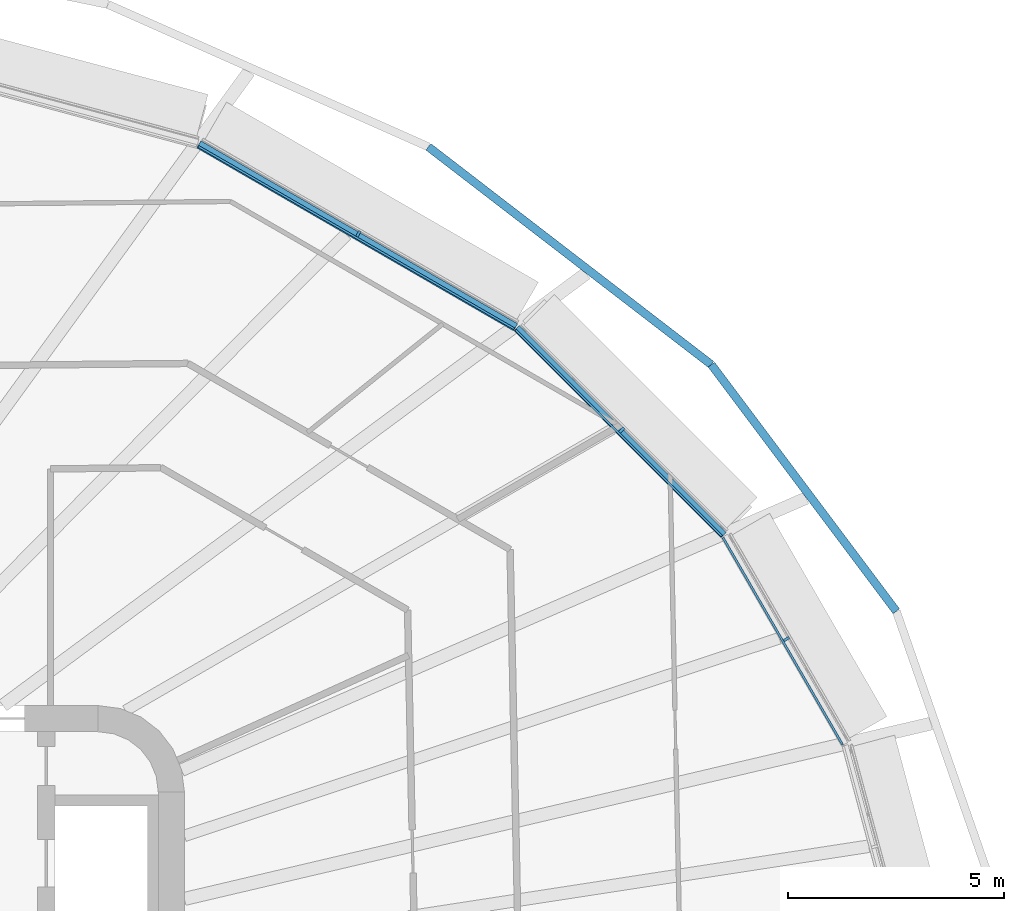
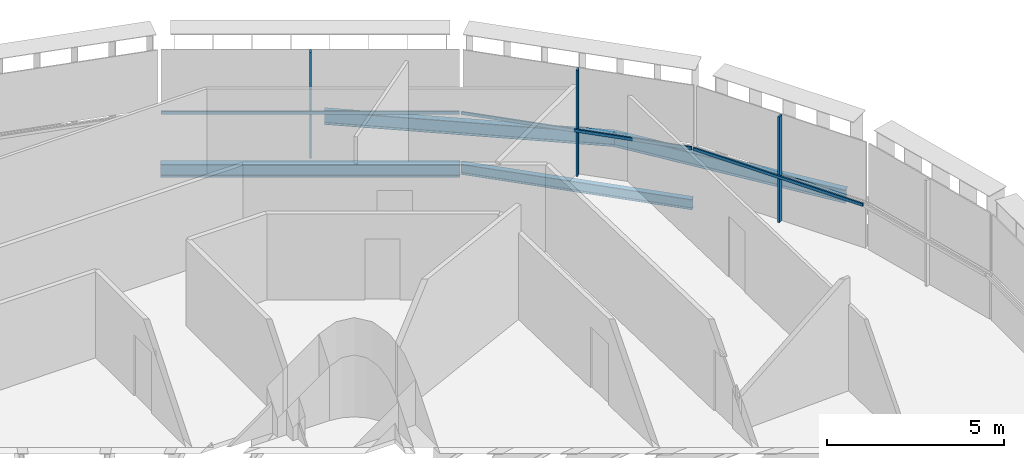
# One storey, part 10 of 26: 6 members, 4 beams, 3 elements without a shape of their own.
"""IFC4 building model written with IfcOpenShell, lengths in metres."""

from ifc_helpers import new_model, si_unit, direction, frame, origin, origin_2d, place, context, subcontext, project, spatial, rectangle, i_section, extrude, material, layer, layer_set, material_profile, profile_set, type_object, element, aggregate, save


model = new_model("IFC4")

# Units and contexts
model_context = context("Model", 3, precision=1e-05, world=origin(), true_north=direction((0.0, 1.0)))
body_context = subcontext(model_context, "Body", "Model", "MODEL_VIEW")
ifc_project = project(units=[si_unit("LENGTHUNIT", "METRE"), si_unit("AREAUNIT", "SQUARE_METRE"), si_unit("VOLUMEUNIT", "CUBIC_METRE"), si_unit("PLANEANGLEUNIT", "RADIAN"), si_unit("MASSUNIT", "GRAM", prefix="KILO")], contexts=[model_context])

# Site, building, storey
site_placement = place(None, origin())
site = spatial("IfcSite", under=ifc_project, at=site_placement, CompositionType="ELEMENT")
building_placement = place(site_placement, origin())
building = spatial("IfcBuilding", under=site, at=building_placement, Name="Sahrelin Media Tower", CompositionType="ELEMENT")
storey_placement = place(building_placement, frame((0.0, 0.0, 88.199951171875)))
storey = spatial("IfcBuildingStorey", under=building, at=storey_placement, Name="L16", CompositionType="ELEMENT", Elevation=88.199951171875)

# Beams
ifc_material_1 = material(Name="Steel S355", Category="steel")
ifc_material_profile_1 = material_profile(ifc_material_1, i_section(OverallWidth=0.17138671875, OverallDepth=0.35498046875, WebThickness=0.00732421875, FlangeThickness=0.011474609375, FilletRadius=0.01025390625, at=origin_2d()), Name="UB 356x171x51")
ifc_profile_set_1 = profile_set([ifc_material_profile_1], Name="Steel S355")
beam_type_1 = type_object("IfcBeamType", Name="Edge beam EB3", PredefinedType="BEAM", material=ifc_profile_set_1)
beam_1_placement = place(storey_placement, frame((22.689697265625, 16.739013671875, -0.327392578125), z_axis=(0.707106781187, -0.707106781187, 0.0), x_axis=(0.707106781187, 0.707106781187, 0.0)))
element("IfcBeam", 1, at=beam_1_placement, inside=storey, type_object=beam_type_1, Name="Edge beam L16-22", PredefinedType="BEAM", context=body_context, shape_type="SweptSolid", body=[
    extrude(i_section(OverallWidth=0.17138671875, OverallDepth=0.35498046875, WebThickness=0.00732421875, FlangeThickness=0.011474609375, FilletRadius=0.01025390625, at=origin_2d()), origin(), (0.0, 0.0, 1.0), 6.7783203125),
])
ifc_material_profile_2 = material_profile(ifc_material_1, i_section(OverallWidth=0.1904296875, OverallDepth=0.45703125, WebThickness=0.009033203125, FlangeThickness=0.014404296875, FilletRadius=0.01025390625, at=origin_2d()), Name="UB 457x191x74")
ifc_profile_set_2 = profile_set([ifc_material_profile_2], Name="Steel S355")
beam_type_2 = type_object("IfcBeamType", Name="Edge beam EB5", PredefinedType="BEAM", material=ifc_profile_set_2)
beam_2_placement = place(storey_placement, frame((15.3330078125, 20.99072265625, -0.37841796875), z_axis=(0.866025712585, -0.499999465141, 0.0), x_axis=(0.499999465141, 0.866025712585, 0.0)))
element("IfcBeam", 2, at=beam_2_placement, inside=storey, type_object=beam_type_2, Name="Edge beam L16-21", PredefinedType="BEAM", context=body_context, shape_type="SweptSolid", body=[
    extrude(i_section(OverallWidth=0.1904296875, OverallDepth=0.45703125, WebThickness=0.009033203125, FlangeThickness=0.014404296875, FilletRadius=0.01025390625, at=origin_2d()), origin(), (0.0, 0.0, 1.0), 8.46826171875),
])

# Curtain wall, member
ifc_material_2 = material(Name="Champagne anodised aluminium 6063-T6", Category="aluminium")
ifc_layer = layer(ifc_material_2, 0.14990234375)
ifc_layer_set = layer_set([ifc_layer], Name="Tower ribbon curtain wall")
curtain_wall_type = type_object("IfcCurtainWallType", Name="Tower ribbon curtain wall", PredefinedType="NOTDEFINED", material=ifc_layer_set)
curtain_wall_1_placement = place(storey_placement, frame((29.021484375, 9.58837890625, 0.0), z_axis=(0.0, 0.0, 1.0), x_axis=(1.0, 0.0, 0.0)))
curtain_wall_1 = element("IfcCurtainWall", 3, at=curtain_wall_1_placement, inside=storey, type_object=curtain_wall_type, Name="L16:CW:L16-02", PredefinedType="NOTDEFINED")
ifc_material_profile_3 = material_profile(ifc_material_2, rectangle(XDim=0.06005859375, YDim=0.14990234375, at=origin_2d()), Name="Mullion 60x150")
ifc_profile_set_3 = profile_set([ifc_material_profile_3], Name="Champagne anodised aluminium 6063-T6")
member_type_1 = type_object("IfcMemberType", Name="Mullion 60x150 CW1", PredefinedType="MULLION", material=ifc_profile_set_3)
member_1_placement = place(storey_placement, frame((28.939208984375, 9.540771484375, 0.0), z_axis=(0.0, 0.0, 1.0), x_axis=(-0.499990930976, 0.866030639725, 0.0)))
member_1 = element("IfcMember", 4, at=member_1_placement, type_object=member_type_1, Name="L16:CWM:L16-02", PredefinedType="MULLION", context=body_context, shape_type="SweptSolid", body=[
    extrude(rectangle(XDim=0.06005859375, YDim=0.14990234375, at=origin_2d()), origin(), (0.0, 0.0, 1.0), 3.648681640625),
])

curtain_wall_2_placement = place(storey_placement, frame((25.192138671875, 14.448486328125, 0.0), z_axis=(0.0, 0.0, 1.0), x_axis=(1.0, 0.0, 0.0)))
curtain_wall_2 = element("IfcCurtainWall", 5, at=curtain_wall_2_placement, inside=storey, type_object=curtain_wall_type, Name="L16:CW:L16-03", PredefinedType="NOTDEFINED")
member_2_placement = place(storey_placement, frame((25.125, 14.381591796875, 0.0), z_axis=(0.0, 0.0, 1.0), x_axis=(-0.707114185953, 0.707099376343, 0.0)))
member_2 = element("IfcMember", 6, at=member_2_placement, type_object=member_type_1, Name="L16:CWM:L16-03", PredefinedType="MULLION", context=body_context, shape_type="SweptSolid", body=[
    extrude(rectangle(XDim=0.06005859375, YDim=0.14990234375, at=origin_2d()), origin(), (0.0, 0.0, 1.0), 3.648681640625),
])

curtain_wall_3_placement = place(storey_placement, frame((19.074951171875, 19.003662109375, 0.0), z_axis=(0.0, 0.0, 1.0), x_axis=(1.0, 0.0, 0.0)))
curtain_wall_3 = element("IfcCurtainWall", 7, at=curtain_wall_3_placement, inside=storey, type_object=curtain_wall_type, Name="L16:CW:L16-04", PredefinedType="NOTDEFINED")
member_3_placement = place(storey_placement, frame((19.02734375, 18.92138671875, 0.0), z_axis=(0.0, 0.0, 1.0), x_axis=(-0.866022785779, 0.500004534492, 0.0)))
member_3 = element("IfcMember", 8, at=member_3_placement, type_object=member_type_1, Name="L16:CWM:L16-04", PredefinedType="MULLION", context=body_context, shape_type="SweptSolid", body=[
    extrude(rectangle(XDim=0.06005859375, YDim=0.14990234375, at=origin_2d()), origin(), (0.0, 0.0, 1.0), 3.648681640625),
])

# Beams
ifc_material_profile_4 = material_profile(ifc_material_1, i_section(OverallWidth=0.1904296875, OverallDepth=0.45703125, WebThickness=0.009033203125, FlangeThickness=0.014404296875, FilletRadius=0.01025390625, at=origin_2d()), Name="UB 457x191x74")
ifc_profile_set_4 = profile_set([ifc_material_profile_4], Name="Steel S355")
beam_type_3 = type_object("IfcBeamType", Name="Tie chord TC5", PredefinedType="BEAM", material=ifc_profile_set_4)
beam_3_placement = place(storey_placement, frame((31.480712890625, 10.183837890625, -0.37841796875), z_axis=(-0.600054738751, 0.799958943011, 0.0), x_axis=(-0.799958943011, -0.600054738751, 0.0)))
element("IfcBeam", 9, at=beam_3_placement, inside=storey, type_object=beam_type_3, Name="Tie chord L16-02", PredefinedType="BEAM", context=body_context, shape_type="SweptSolid", body=[
    extrude(i_section(OverallWidth=0.1904296875, OverallDepth=0.45703125, WebThickness=0.009033203125, FlangeThickness=0.014404296875, FilletRadius=0.01025390625, at=origin_2d()), origin(), (0.0, 0.0, 1.0), 7.135986328125),
])
beam_4_placement = place(storey_placement, frame((27.19873046875, 15.892333984375, -0.37841796875), z_axis=(-0.79243512124, 0.609956210416, 0.0), x_axis=(-0.609956210416, -0.79243512124, 0.0)))
element("IfcBeam", 10, at=beam_4_placement, inside=storey, type_object=beam_type_3, Name="Tie chord L16-03", PredefinedType="BEAM", context=body_context, shape_type="SweptSolid", body=[
    extrude(i_section(OverallWidth=0.1904296875, OverallDepth=0.45703125, WebThickness=0.009033203125, FlangeThickness=0.014404296875, FilletRadius=0.01025390625, at=origin_2d()), origin(), (0.0, 0.0, 1.0), 8.266845703125),
])

# Member
ifc_material_profile_5 = material_profile(ifc_material_2, rectangle(XDim=0.050048828125, YDim=0.10009765625, at=origin_2d()), Name="Transom 50x100")
ifc_profile_set_5 = profile_set([ifc_material_profile_5], Name="Champagne anodised aluminium 6063-T6")
member_type_2 = type_object("IfcMemberType", Name="Transom 50x100 CW1", PredefinedType="USERDEFINED", material=ifc_profile_set_5)
member_4_placement = place(storey_placement, frame((30.236083984375, 7.094482421875, 1.60009765625), z_axis=(-0.500001219746, 0.866024699562, 0.0), x_axis=(-0.866024699562, -0.500001219746, 0.0)))
member_4 = element("IfcMember", 11, at=member_4_placement, type_object=member_type_2, Name="L16:CWT:L16-02", ObjectType="TRANSOM", PredefinedType="USERDEFINED", context=body_context, shape_type="SweptSolid", body=[
    extrude(rectangle(XDim=0.050048828125, YDim=0.10009765625, at=origin_2d()), origin(), (0.0, 0.0, 1.0), 5.5341796875),
])

aggregate(curtain_wall_1, [member_1, member_4])

member_5_placement = place(storey_placement, frame((27.439697265625, 11.92529296875, 1.60009765625), z_axis=(-0.707088688516, 0.707124873394, 0.0), x_axis=(-0.707124873394, -0.707088688516, 0.0)))
member_5 = element("IfcMember", 12, at=member_5_placement, type_object=member_type_2, Name="L16:CWT:L16-03", ObjectType="TRANSOM", PredefinedType="USERDEFINED", context=body_context, shape_type="SweptSolid", body=[
    extrude(rectangle(XDim=0.050048828125, YDim=0.10009765625, at=origin_2d()), origin(), (0.0, 0.0, 1.0), 6.7470703125),
])

aggregate(curtain_wall_2, [member_2, member_5])

member_6_placement = place(storey_placement, frame((22.630615234375, 16.7255859375, 1.60009765625), z_axis=(-0.866029933621, 0.499992154011, 0.0), x_axis=(-0.499992154011, -0.866029933621, 0.0)))
member_6 = element("IfcMember", 13, at=member_6_placement, type_object=member_type_2, Name="L16:CWT:L16-04", ObjectType="TRANSOM", PredefinedType="USERDEFINED", context=body_context, shape_type="SweptSolid", body=[
    extrude(rectangle(XDim=0.050048828125, YDim=0.10009765625, at=origin_2d()), origin(), (0.0, 0.0, 1.0), 8.436767578125),
])

aggregate(curtain_wall_3, [member_3, member_6])

save(model, "model.ifc")
